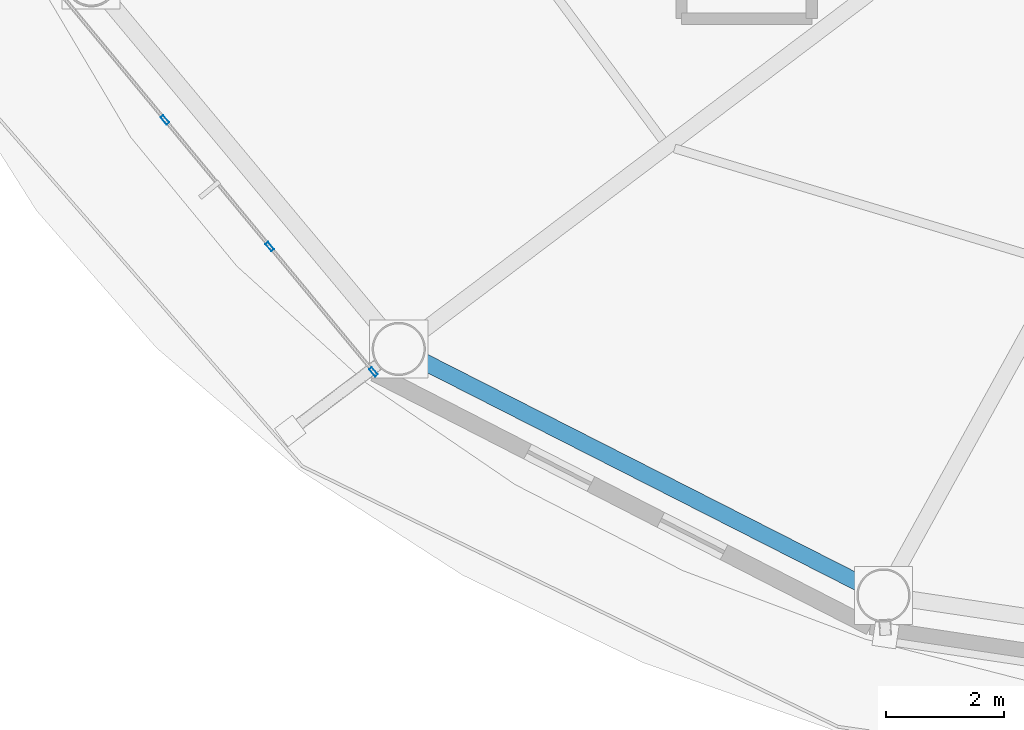
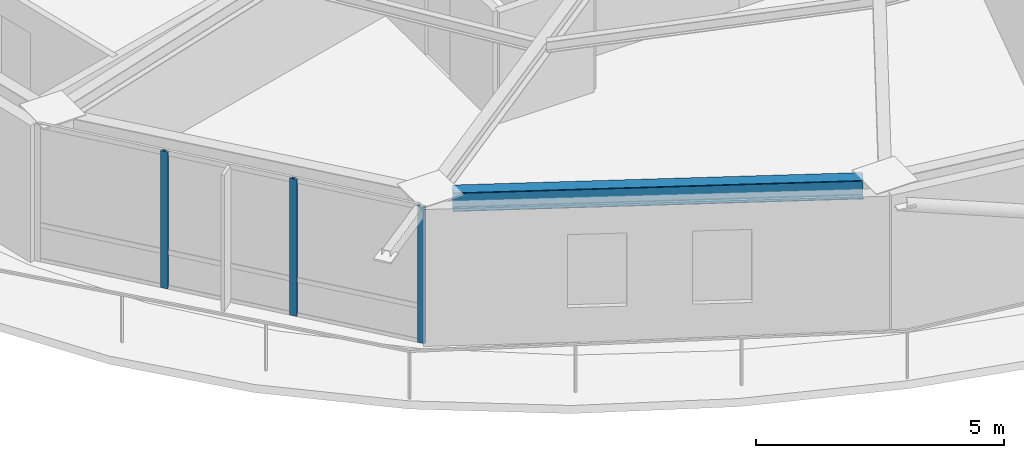
# One storey, part 2 of 23: 3 members, 1 beam, 1 element without a shape of its own.
"""IFC4 building model written with IfcOpenShell, lengths in metres."""

import ifcopenshell
import ifcopenshell.guid

model = None  # the IFC model being written
_history = None  # IfcOwnerHistory: only IFC2X3 demands one
_inside = {}  # id of a spatial element -> (the spatial element, [elements in it])
_under = {}  # id of a project, library or spatial element -> (it, [spatial elements below it])
_declared = {}  # id of a project -> (the project, [libraries it declares])
_typed = {}  # id of a type object -> (the type object, [elements of that type])
_made_of = {}  # id of a material, layer set ... -> (it, [elements and type objects made of it])


def new_model(schema):
    """Start an empty IFC model of exactly this schema.

    Asked for "IFC4X3", IfcOpenShell would pick the latest addendum, in which some entities
    have other attributes; the version numbers below select the first issue.
    IFC2X3 requires an IfcOwnerHistory on every rooted entity: one is made here for all.
    """
    global model, _history
    if schema == "IFC4X3":
        model = ifcopenshell.file(schema_version=(4, 3, 0, 0))
    else:
        model = ifcopenshell.file(schema=schema)
    _inside.clear()
    _under.clear()
    _declared.clear()
    _typed.clear()
    _made_of.clear()
    _history = None
    if model.schema == "IFC2X3":
        org = make("IfcOrganization", Name="unknown")
        user = make(
            "IfcPersonAndOrganization",
            ThePerson=make("IfcPerson", FamilyName="unknown"),
            TheOrganization=org,
        )
        app = make(
            "IfcApplication",
            ApplicationDeveloper=org,
            Version="unknown",
            ApplicationFullName="unknown",
            ApplicationIdentifier="unknown",
        )
        _history = make(
            "IfcOwnerHistory",
            OwningUser=user,
            OwningApplication=app,
            ChangeAction="ADDED",
            CreationDate=0,
        )
    return model


def make(cls, **values):
    """One entity of the class cls with the attributes given. An attribute that is None is left unset."""
    return model.create_entity(
        cls, **{name: value for name, value in values.items() if value is not None}
    )


def rooted(cls, **values):
    """An entity with a GlobalId (a new one), such as an element, a storey or a relation."""
    return make(cls, GlobalId=ifcopenshell.guid.new(), OwnerHistory=_history, **values)


def si_unit(unit_type, name, prefix=None):
    """IfcSIUnit, for example si_unit("LENGTHUNIT", "METRE", prefix="MILLI")."""
    return make("IfcSIUnit", UnitType=unit_type, Prefix=prefix, Name=name)


def assignment(units):
    """IfcUnitAssignment: the units of a project."""
    return None if units is None else make("IfcUnitAssignment", Units=units)


def point(xyz):
    """IfcCartesianPoint."""
    return None if xyz is None else make("IfcCartesianPoint", Coordinates=xyz)


def direction(xyz):
    """IfcDirection."""
    return None if xyz is None else make("IfcDirection", DirectionRatios=xyz)


def frame(location, z_axis=None, x_axis=None):
    """IfcAxis2Placement3D, a coordinate frame: its origin and axes. An axis left out is left unset."""
    return make(
        "IfcAxis2Placement3D",
        Location=point(location),
        Axis=direction(z_axis),
        RefDirection=direction(x_axis),
    )


def frame_2d(location, x_axis=None):
    """IfcAxis2Placement2D, a coordinate frame in the plane: its origin and x axis."""
    return make(
        "IfcAxis2Placement2D", Location=point(location), RefDirection=direction(x_axis)
    )


def origin():
    """The frame at (0, 0, 0) with its axes left unset."""
    return frame((0.0, 0.0, 0.0))


def origin_2d():
    """The frame at (0, 0) in the plane with its x axis left unset."""
    return frame_2d((0.0, 0.0))


def place(relative_to, where):
    """IfcLocalPlacement: puts the frame where relative to a parent placement (None: the world)."""
    return make(
        "IfcLocalPlacement", PlacementRelTo=relative_to, RelativePlacement=where
    )


def context(
    kind, dimensions, precision=None, world=None, true_north=None, identifier=None
):
    """IfcGeometricRepresentationContext, for example the 3D "Model" context."""
    return make(
        "IfcGeometricRepresentationContext",
        ContextIdentifier=identifier,
        ContextType=kind,
        CoordinateSpaceDimension=dimensions,
        Precision=precision,
        WorldCoordinateSystem=world,
        TrueNorth=true_north,
    )


def subcontext(parent, identifier, kind, view, scale=None):
    """IfcGeometricRepresentationSubContext, for example "Body" below "Model"."""
    return make(
        "IfcGeometricRepresentationSubContext",
        ContextIdentifier=identifier,
        ContextType=kind,
        ParentContext=parent,
        TargetScale=scale,
        TargetView=view,
    )


def project(units=None, contexts=None):
    """IfcProject with its units and contexts."""
    return rooted(
        "IfcProject",
        Name="project",
        RepresentationContexts=contexts,
        UnitsInContext=assignment(units),
    )


def spatial(cls, under=None, at=None, **own):
    """A site, building, storey or space (cls), placed at a placement, below another one or the project."""
    s = rooted(cls, ObjectPlacement=at, **own)
    if under is not None:
        _under.setdefault(under.id(), (under, []))[1].append(s)
    return s


def profile(cls, at=None, kind="AREA", **sizes):
    """A parametric profile (cls). Its sizes go by their IFC names, for example OverallWidth=200.0."""
    return make(cls, ProfileType=kind, Position=at, **sizes)


def hollow_rectangle(**sizes):
    """IfcRectangleHollowProfileDef."""
    return profile("IfcRectangleHollowProfileDef", **sizes)


def i_section(**sizes):
    """IfcIShapeProfileDef."""
    return profile("IfcIShapeProfileDef", **sizes)


def extrude(swept, where, along, depth):
    """IfcExtrudedAreaSolid: the profile swept, set in the frame where, extruded along a direction by depth."""
    return make(
        "IfcExtrudedAreaSolid",
        SweptArea=swept,
        Position=where,
        ExtrudedDirection=direction(along),
        Depth=depth,
    )


def shape(context_of_items, identifier, shape_type, items):
    """IfcShapeRepresentation: the items that make up one representation, for example the "Body"."""
    return make(
        "IfcShapeRepresentation",
        ContextOfItems=context_of_items,
        RepresentationIdentifier=identifier,
        RepresentationType=shape_type,
        Items=items,
    )


def material(Name=None, Category=None):
    """IfcMaterial."""
    return make("IfcMaterial", Name=Name, Category=Category)


def layer(
    of_material, thickness, ventilated=None, Name=None, Category=None, Priority=None
):
    """IfcMaterialLayer: one layer of a wall or slab, of a material (None: an air gap)."""
    return make(
        "IfcMaterialLayer",
        Material=of_material,
        LayerThickness=thickness,
        IsVentilated=ventilated,
        Name=Name,
        Category=Category,
        Priority=Priority,
    )


def layer_set(layers, Name=None):
    """IfcMaterialLayerSet."""
    return make("IfcMaterialLayerSet", MaterialLayers=layers, LayerSetName=Name)


def material_profile(
    of_material, cross_section, Name=None, Category=None, Priority=None
):
    """IfcMaterialProfile: a cross section and its material."""
    return make(
        "IfcMaterialProfile",
        Name=Name,
        Material=of_material,
        Profile=cross_section,
        Priority=Priority,
        Category=Category,
    )


def profile_set(profiles, Name=None, composite=None):
    """IfcMaterialProfileSet."""
    return make(
        "IfcMaterialProfileSet",
        Name=Name,
        MaterialProfiles=profiles,
        CompositeProfile=composite,
    )


def made_of(thing, what):
    """Note that an element or type object is made of a material, layer set ...; save() writes the relation."""
    if what is not None:
        _made_of.setdefault(what.id(), (what, []))[1].append(thing)
    return thing


def type_object(cls, material=None, **own):
    """A type object (cls), such as IfcWallType, which elements share."""
    return made_of(rooted(cls, **own), material)


def element(
    cls,
    number,
    at=None,
    inside=None,
    cuts=None,
    type_object=None,
    material=None,
    context=None,
    identifier="Body",
    shape_type=None,
    held_by="IfcProductDefinitionShape",
    body=None,
    shapes=None,
    **own,
):
    """One element of the class cls, such as IfcWall. Its Tag is "e" and its number.

    at: its placement. inside: the storey or other place that contains it. cuts: it is an
    opening in that element (IfcRelVoidsElement). A single representation is given by context,
    identifier, shape_type and body (its items); several are given by shapes. held_by: the class
    of the entity that holds the representations. save() writes the other relations.
    """
    e = rooted(cls, Tag="e%d" % number, ObjectPlacement=at, **own)
    if body is not None:
        shapes = [shape(context, identifier, shape_type, body)]
    if shapes is not None:
        e.Representation = make(held_by, Representations=shapes)
    if inside is not None:
        _inside.setdefault(inside.id(), (inside, []))[1].append(e)
    if cuts is not None:
        rooted(
            "IfcRelVoidsElement", RelatingBuildingElement=cuts, RelatedOpeningElement=e
        )
    if type_object is not None:
        _typed.setdefault(type_object.id(), (type_object, []))[1].append(e)
    return made_of(e, material)


def aggregate(whole, parts):
    """IfcRelAggregates: a whole, such as a stair, and the parts it consists of."""
    return rooted("IfcRelAggregates", RelatingObject=whole, RelatedObjects=parts)


def save(model, path):
    """Write the relations noted so far, then the file.

    IfcRelAggregates (storeys below a building ...), IfcRelContainedInSpatialStructure (elements
    in a storey), IfcRelDefinesByType, IfcRelAssociatesMaterial and IfcRelDeclares: one each for
    every whole, place, type object, material and project.
    """
    for whole, parts in _under.values():
        aggregate(whole, parts)
    for where, things in _inside.values():
        rooted(
            "IfcRelContainedInSpatialStructure",
            RelatedElements=things,
            RelatingStructure=where,
        )
    for kind, things in _typed.values():
        rooted("IfcRelDefinesByType", RelatedObjects=things, RelatingType=kind)
    for what, things in _made_of.values():
        rooted("IfcRelAssociatesMaterial", RelatedObjects=things, RelatingMaterial=what)
    for by, libraries in _declared.values():
        rooted("IfcRelDeclares", RelatingContext=by, RelatedDefinitions=libraries)
    model.write(path)


model = new_model("IFC4")

# Units and contexts
model_context = context("Model", 3, precision=1e-05, world=origin(), true_north=direction((0.0, 1.0)))
body_context = subcontext(model_context, "Body", "Model", "MODEL_VIEW")
ifc_project = project(units=[si_unit("LENGTHUNIT", "METRE"), si_unit("AREAUNIT", "SQUARE_METRE"), si_unit("VOLUMEUNIT", "CUBIC_METRE"), si_unit("PLANEANGLEUNIT", "RADIAN"), si_unit("MASSUNIT", "GRAM", prefix="KILO")], contexts=[model_context])

# Site, building, storey
site_placement = place(None, origin())
site = spatial("IfcSite", under=ifc_project, at=site_placement, CompositionType="ELEMENT")
building_placement = place(site_placement, origin())
building = spatial("IfcBuilding", under=site, at=building_placement, Name="Sarneth Arch Tower", CompositionType="ELEMENT")
storey_placement = place(building_placement, frame((0.0, 0.0, 262.199951171875)))
storey = spatial("IfcBuildingStorey", under=building, at=storey_placement, Name="L67", CompositionType="ELEMENT", Elevation=262.199951171875)

# Beam
ifc_material_1 = material(Name="Steel S355", Category="steel")
ifc_material_profile_1 = material_profile(ifc_material_1, i_section(OverallWidth=0.280029296875, OverallDepth=0.462890625, WebThickness=0.0107421875, FlangeThickness=0.017333984375, FilletRadius=0.01806640625, at=origin_2d()), Name="W460x113")
ifc_profile_set_1 = profile_set([ifc_material_profile_1], Name="Steel S355")
beam_type = type_object("IfcBeamType", Name="BM-RAD-460A", PredefinedType="BEAM", material=ifc_profile_set_1)
beam_placement = place(storey_placement, frame((30.42578125, 28.219482421875, 3.138427734375), z_axis=(0.891376248079, -0.453264144138, 0.0), x_axis=(0.453264144138, 0.891376248079, 0.0)))
element("IfcBeam", 1, at=beam_placement, inside=storey, type_object=beam_type, Name="L67 Perimeter spandrel beam 11", PredefinedType="BEAM", context=body_context, shape_type="SweptSolid", body=[
    extrude(i_section(OverallWidth=0.280029296875, OverallDepth=0.462890625, WebThickness=0.0107421875, FlangeThickness=0.017333984375, FilletRadius=0.01806640625, at=origin_2d()), origin(), (0.0, 0.0, 1.0), 8.281982421875),
])

# Curtain wall, members
ifc_material_2 = material(Name="Anodised aluminium Type AA25 and solar-control low-e laminated IGU", Category="aluminium")
ifc_layer = layer(ifc_material_2, 0.179931640625)
ifc_layer_set = layer_set([ifc_layer], Name="Anodised aluminium Type AA25 and solar-control low-e laminated IGU")
curtain_wall_type = type_object("IfcCurtainWallType", Name="CW-RES-HIGH", PredefinedType="NOTDEFINED", material=ifc_layer_set)
curtain_wall_placement = place(storey_placement, origin())
curtain_wall = element("IfcCurtainWall", 2, at=curtain_wall_placement, inside=storey, type_object=curtain_wall_type, Name="L67 Unitised curtain wall facet 10", PredefinedType="NOTDEFINED")
ifc_material_3 = material(Name="Anodised Aluminium 6063-T6", Category="aluminium")
ifc_material_profile_2 = material_profile(ifc_material_3, hollow_rectangle(XDim=0.06005859375, YDim=0.159912109375, WallThickness=0.00390625, at=origin_2d()), Name="AL-MULL-160x60x4")
ifc_profile_set_2 = profile_set([ifc_material_profile_2], Name="Anodised Aluminium 6063-T6")
member_type = type_object("IfcMemberType", Name="CW-MULLION", PredefinedType="MULLION", material=ifc_profile_set_2)
member_1_placement = place(storey_placement, frame((26.07666015625, 32.29150390625, 0.0), z_axis=(0.0, 0.0, 1.0), x_axis=(0.770359245933, 0.637610094184, 0.0)))
member_1 = element("IfcMember", 3, at=member_1_placement, type_object=member_type, Name="CW-SYS-6 mullion 2", PredefinedType="MULLION", context=body_context, shape_type="SweptSolid", body=[
    extrude(hollow_rectangle(XDim=0.06005859375, YDim=0.159912109375, WallThickness=0.00390625, at=origin_2d()), origin(), (0.0, 0.0, 1.0), 3.3701171875),
])
member_2_placement = place(storey_placement, frame((27.84716796875, 30.15234375, 0.0), z_axis=(0.0, 0.0, 1.0), x_axis=(0.770359245933, 0.637610094184, 0.0)))
member_2 = element("IfcMember", 4, at=member_2_placement, type_object=member_type, Name="CW-SYS-6 mullion 3", PredefinedType="MULLION", context=body_context, shape_type="SweptSolid", body=[
    extrude(hollow_rectangle(XDim=0.06005859375, YDim=0.159912109375, WallThickness=0.00390625, at=origin_2d()), origin(), (0.0, 0.0, 1.0), 3.3701171875),
])
member_3_placement = place(storey_placement, frame((29.598388671875, 28.03662109375, 0.0), z_axis=(0.0, 0.0, 1.0), x_axis=(0.770359245933, 0.637610094184, 0.0)))
member_3 = element("IfcMember", 5, at=member_3_placement, type_object=member_type, Name="CW-SYS-6 mullion 4", PredefinedType="MULLION", context=body_context, shape_type="SweptSolid", body=[
    extrude(hollow_rectangle(XDim=0.06005859375, YDim=0.159912109375, WallThickness=0.00390625, at=origin_2d()), origin(), (0.0, 0.0, 1.0), 3.3701171875),
])
aggregate(curtain_wall, [member_1, member_2, member_3])

save(model, "model.ifc")
